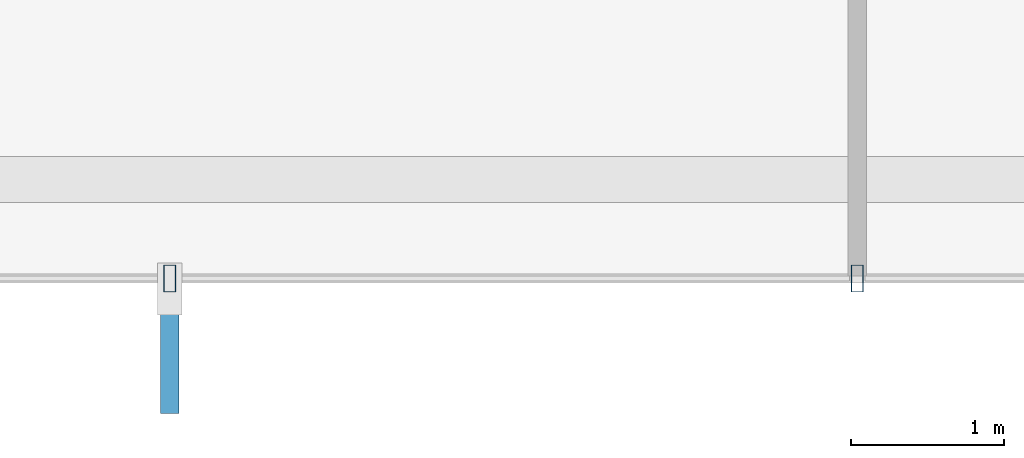
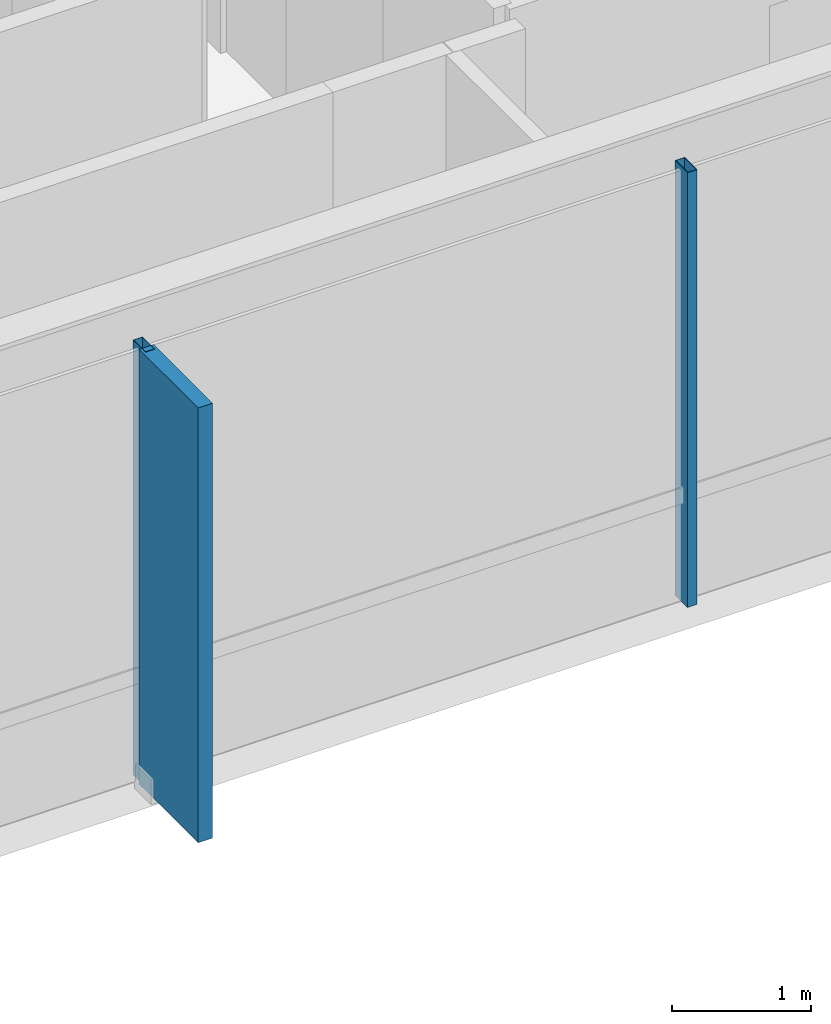
# One storey, part 8 of 24: 3 members, 1 element without a shape of its own.
"""IFC4 building model written with IfcOpenShell, lengths in metres."""

from ifc_helpers import new_model, si_unit, direction, frame, origin, origin_2d, place, context, subcontext, project, spatial, rectangle, hollow_rectangle, extrude, material, layer, layer_set, material_profile, profile_set, type_object, element, aggregate, save


model = new_model("IFC4")

# Units and contexts
model_context = context("Model", 3, precision=1e-05, world=origin(), true_north=direction((0.0, 1.0)))
body_context = subcontext(model_context, "Body", "Model", "MODEL_VIEW")
ifc_project = project(units=[si_unit("LENGTHUNIT", "METRE"), si_unit("AREAUNIT", "SQUARE_METRE"), si_unit("VOLUMEUNIT", "CUBIC_METRE"), si_unit("PLANEANGLEUNIT", "RADIAN"), si_unit("MASSUNIT", "GRAM", prefix="KILO")], contexts=[model_context])

# Site, building, storey
site_placement = place(None, origin())
site = spatial("IfcSite", under=ifc_project, at=site_placement, CompositionType="ELEMENT")
building_placement = place(site_placement, origin())
building = spatial("IfcBuilding", under=site, at=building_placement, Name="Zarrinselat Tower", CompositionType="ELEMENT")
storey_placement = place(building_placement, frame((0.0, 0.0, 96.89990234375)))
storey = spatial("IfcBuildingStorey", under=building, at=storey_placement, Name="L23", CompositionType="ELEMENT", Elevation=96.89990234375)

# Curtain wall, members
ifc_material_1 = material(Name="Extruded Aluminium Alloy EN AW-6063 T6", Category="aluminium")
ifc_layer = layer(ifc_material_1, 0.18505859375)
ifc_layer_set = layer_set([ifc_layer], Name="Extruded Aluminium Alloy EN AW-6063 T6")
curtain_wall_type = type_object("IfcCurtainWallType", Name="CWS-OFF", PredefinedType="NOTDEFINED", material=ifc_layer_set)
curtain_wall_placement = place(storey_placement, origin())
curtain_wall = element("IfcCurtainWall", 1, at=curtain_wall_placement, inside=storey, type_object=curtain_wall_type, Name="L23 Unitised Curtain Wall CW-L23-E04", PredefinedType="NOTDEFINED")
ifc_material_2 = material(Name="Extruded Aluminium Alloy EN AW-6063 T6", Category="aluminium")
ifc_material_profile_1 = material_profile(ifc_material_2, hollow_rectangle(XDim=0.080078125, YDim=0.179931640625, WallThickness=0.0048828125, at=origin_2d()), Name="RHS 180x80x5")
ifc_profile_set_1 = profile_set([ifc_material_profile_1], Name="Extruded Aluminium Alloy EN AW-6063 T6")
member_type_1 = type_object("IfcMemberType", Name="MEM-CW-MUL", PredefinedType="MULLION", material=ifc_profile_set_1)
member_1_placement = place(storey_placement, frame((40.294921875, 18.32568359375, 0.0), z_axis=(0.0, 0.0, 1.0), x_axis=(1.0, 0.0, 0.0)))
member_1 = element("IfcMember", 2, at=member_1_placement, type_object=member_type_1, Name="CW-L23-E04 Mullion 3", PredefinedType="MULLION", context=body_context, shape_type="SweptSolid", body=[
    extrude(hollow_rectangle(XDim=0.080078125, YDim=0.179931640625, WallThickness=0.0048828125, at=origin_2d()), origin(), (0.0, 0.0, 1.0), 3.820068359375),
])
member_2_placement = place(storey_placement, frame((44.800048828125, 18.32568359375, 0.0), z_axis=(0.0, 0.0, 1.0), x_axis=(1.0, 0.0, 0.0)))
member_2 = element("IfcMember", 3, at=member_2_placement, type_object=member_type_1, Name="CW-L23-E04 Mullion 4", PredefinedType="MULLION", context=body_context, shape_type="SweptSolid", body=[
    extrude(hollow_rectangle(XDim=0.080078125, YDim=0.179931640625, WallThickness=0.0048828125, at=origin_2d()), origin(), (0.0, 0.0, 1.0), 3.820068359375),
])
ifc_material_3 = material(Name="Honed Cream Travertine Stone", Category="masonry")
ifc_material_profile_2 = material_profile(ifc_material_3, rectangle(XDim=0.1201171875, YDim=0.85009765625, at=origin_2d()), Name="FIN 850x120")
ifc_profile_set_2 = profile_set([ifc_material_profile_2], Name="Honed Cream Travertine Stone")
member_type_2 = type_object("IfcMemberType", Name="MEM-STONE-FIN", PredefinedType="USERDEFINED", material=ifc_profile_set_2)
member_3_placement = place(storey_placement, frame((40.294921875, 17.865478515625, 0.0), z_axis=(0.0, 0.0, 1.0), x_axis=(-1.0, 0.0, 0.0)))
member_3 = element("IfcMember", 4, at=member_3_placement, type_object=member_type_2, Name="L23 Stone Shading Fin CW-L23-E04-03", ObjectType="FIN", PredefinedType="USERDEFINED", context=body_context, shape_type="SweptSolid", body=[
    extrude(rectangle(XDim=0.1201171875, YDim=0.85009765625, at=origin_2d()), origin(), (0.0, 0.0, 1.0), 3.820068359375),
])
aggregate(curtain_wall, [member_1, member_3, member_2])

save(model, "model.ifc")
